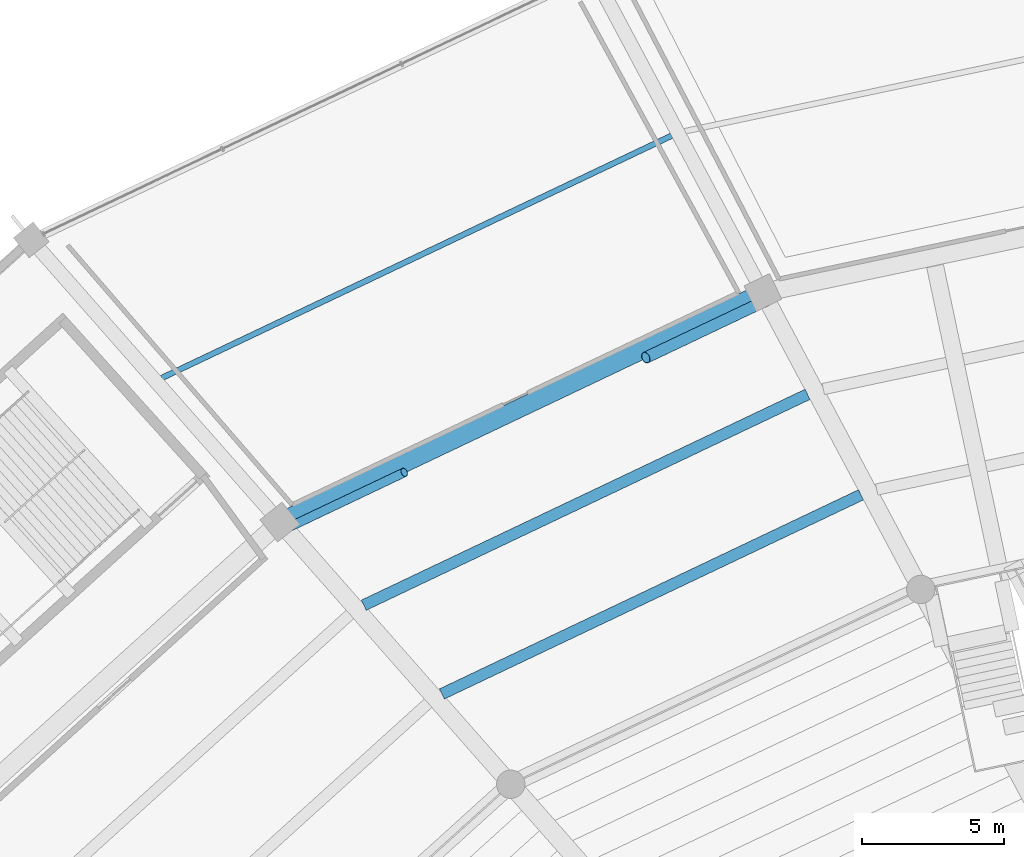
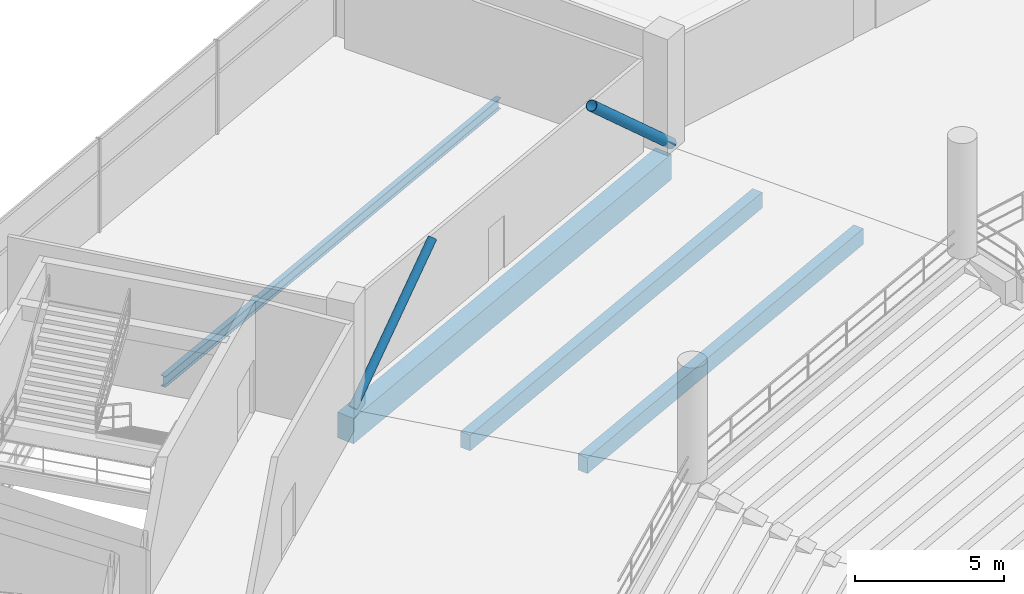
# One storey, part 71 of 156: 4 beams, 2 members.
"""IFC4 building model written with IfcOpenShell, lengths in metres."""

from ifc_helpers import new_model, si_unit, direction, frame, origin, origin_2d, place, context, subcontext, project, spatial, rectangle, hollow_circle, i_section, extrude, material, material_profile, profile_set, type_object, element, save


model = new_model("IFC4")

# Units and contexts
model_context = context("Model", 3, precision=1e-05, world=origin(), true_north=direction((0.0, 1.0)))
body_context = subcontext(model_context, "Body", "Model", "MODEL_VIEW")
ifc_project = project(units=[si_unit("LENGTHUNIT", "METRE"), si_unit("AREAUNIT", "SQUARE_METRE"), si_unit("VOLUMEUNIT", "CUBIC_METRE"), si_unit("PLANEANGLEUNIT", "RADIAN"), si_unit("MASSUNIT", "GRAM", prefix="KILO")], contexts=[model_context])

# Site, building, storey
site_placement = place(None, origin())
site = spatial("IfcSite", under=ifc_project, at=site_placement, CompositionType="ELEMENT")
building_placement = place(site_placement, origin())
building = spatial("IfcBuilding", under=site, at=building_placement, Name="Kazemori Nagisa Stadium", CompositionType="ELEMENT")
storey_placement = place(building_placement, frame((0.0, 0.0, 5.780029296875)))
storey = spatial("IfcBuildingStorey", under=building, at=storey_placement, Name="L01", CompositionType="ELEMENT", Elevation=5.780029296875)

# Beams
ifc_material_1 = material(Name="Concrete C40/50 (Fc42)", Category="concrete")
ifc_material_profile_1 = material_profile(ifc_material_1, rectangle(XDim=0.64990234375, YDim=1.050048828125, at=origin_2d()), Name="RC-BM-650x1050")
ifc_profile_set_1 = profile_set([ifc_material_profile_1], Name="Concrete C40/50 (Fc42)")
beam_type_1 = type_object("IfcBeamType", Name="Beam_BG-RC650X1050", PredefinedType="BEAM", material=ifc_profile_set_1)
beam_1_placement = place(storey_placement, frame((86.18798828125, 171.19921875, -0.804931640625), z_axis=(-0.90321938295, -0.42917915404, 0.0), x_axis=(0.42917915404, -0.90321938295, 0.0)))
element("IfcBeam", 1, at=beam_1_placement, inside=storey, type_object=beam_type_1, Name="Ring girder BG-RC650X1050 L01 R2-10", PredefinedType="BEAM", context=body_context, shape_type="SweptSolid", body=[
    extrude(rectangle(XDim=0.64990234375, YDim=1.050048828125, at=origin_2d()), origin(), (0.0, 0.0, 1.0), 18.84619140625),
])
ifc_material_2 = material(Name="Steel SN490B", Category="steel")
ifc_material_profile_2 = material_profile(ifc_material_2, i_section(OverallWidth=0.199951171875, OverallDepth=0.449951171875, WebThickness=0.009033203125, FlangeThickness=0.013916015625, FilletRadius=0.012939453125, at=origin_2d()), Name="H-450x200x9x14")
ifc_profile_set_2 = profile_set([ifc_material_profile_2], Name="Steel SN490B")
beam_type_2 = type_object("IfcBeamType", Name="Beam_BJ-H450", PredefinedType="JOIST", material=ifc_profile_set_2)
beam_2_placement = place(storey_placement, frame((82.97021484375, 176.7265625, -0.505126953125), z_axis=(-0.903215058486, -0.429188254876, 0.0), x_axis=(0.429188254876, -0.903215058486, 0.0)))
element("IfcBeam", 2, at=beam_2_placement, inside=storey, type_object=beam_type_2, Name="Outer bay joist BJ-H450 L01 B10", PredefinedType="JOIST", context=body_context, shape_type="SweptSolid", body=[
    extrude(i_section(OverallWidth=0.199951171875, OverallDepth=0.449951171875, WebThickness=0.009033203125, FlangeThickness=0.013916015625, FilletRadius=0.012939453125, at=origin_2d()), origin(), (0.0, 0.0, 1.0), 19.89013671875),
])
ifc_material_profile_3 = material_profile(ifc_material_1, rectangle(XDim=0.39990234375, YDim=0.64990234375, at=origin_2d()), Name="RC-BM-400x650")
ifc_profile_set_3 = profile_set([ifc_material_profile_3], Name="Concrete C40/50 (Fc42)")
beam_type_3 = type_object("IfcBeamType", Name="Beam_BJ-RC400X650", PredefinedType="JOIST", material=ifc_profile_set_3)
beam_3_placement = place(storey_placement, frame((89.6455078125, 164.072265625, -0.60498046875), z_axis=(-0.903215717065, -0.429186868912, 0.0), x_axis=(0.429186868912, -0.903215717065, 0.0)))
element("IfcBeam", 3, at=beam_3_placement, inside=storey, type_object=beam_type_3, Name="Concourse joist BJ-RC400X650 L01 B10-1", PredefinedType="JOIST", context=body_context, shape_type="SweptSolid", body=[
    extrude(rectangle(XDim=0.39990234375, YDim=0.64990234375, at=origin_2d()), origin(), (0.0, 0.0, 1.0), 16.349609375),
])
beam_4_placement = place(storey_placement, frame((87.76220703125, 167.61279296875, -0.60498046875), z_axis=(-0.903215468459, -0.429187392099, 0.0), x_axis=(0.429187392099, -0.903215468459, 0.0)))
element("IfcBeam", 4, at=beam_4_placement, inside=storey, type_object=beam_type_3, Name="Concourse joist BJ-RC400X650 L01 B10-2", PredefinedType="JOIST", context=body_context, shape_type="SweptSolid", body=[
    extrude(rectangle(XDim=0.39990234375, YDim=0.64990234375, at=origin_2d()), origin(), (0.0, 0.0, 1.0), 17.31396484375),
])

# Members
ifc_material_3 = material(Name="Steel STK490", Category="steel")
ifc_material_profile_4 = material_profile(ifc_material_3, hollow_circle(Radius=0.1591796875, WallThickness=0.01025390625, at=origin_2d()), Name="CHS-318.5x10.3")
ifc_profile_set_4 = profile_set([ifc_material_profile_4], Name="Steel STK490")
member_type_1 = type_object("IfcMemberType", Name="Member_TB-CHS318", PredefinedType="BRACE", material=ifc_profile_set_4)
member_1_placement = place(storey_placement, frame((69.29443359375, 162.83984375, 0.14990234375), z_axis=(0.66997778581, 0.318326890143, 0.670669633675), x_axis=(-0.429152995666, 0.903231812057, 0.0)))
element("IfcMember", 5, at=member_1_placement, inside=storey, type_object=member_type_1, Name="Seismic brace TB-CHS318 L01 B10-B", PredefinedType="BRACE", context=body_context, shape_type="SweptSolid", body=[
    extrude(hollow_circle(Radius=0.1591796875, WallThickness=0.01025390625, at=origin_2d()), origin(), (0.0, 0.0, 1.0), 6.351806640625),
])
ifc_material_profile_5 = material_profile(ifc_material_3, hollow_circle(Radius=0.203125, WallThickness=0.014404296875, at=origin_2d()), Name="CHS-406.4x14.3")
ifc_profile_set_5 = profile_set([ifc_material_profile_5], Name="Steel STK490")
member_type_2 = type_object("IfcMemberType", Name="Member_TB-CHS406", PredefinedType="BRACE", material=ifc_profile_set_5)
member_2_placement = place(storey_placement, frame((86.316650390625, 170.92822265625, 0.14990234375), z_axis=(-0.66997778581, -0.318326890143, 0.670669633675), x_axis=(0.429152995666, -0.903231812057, 0.0)))
element("IfcMember", 6, at=member_2_placement, inside=storey, type_object=member_type_2, Name="Seismic brace TB-CHS355 L01 B10-A", PredefinedType="BRACE", context=body_context, shape_type="SweptSolid", body=[
    extrude(hollow_circle(Radius=0.203125, WallThickness=0.014404296875, at=origin_2d()), origin(), (0.0, 0.0, 1.0), 6.351806640625),
])

save(model, "model.ifc")
